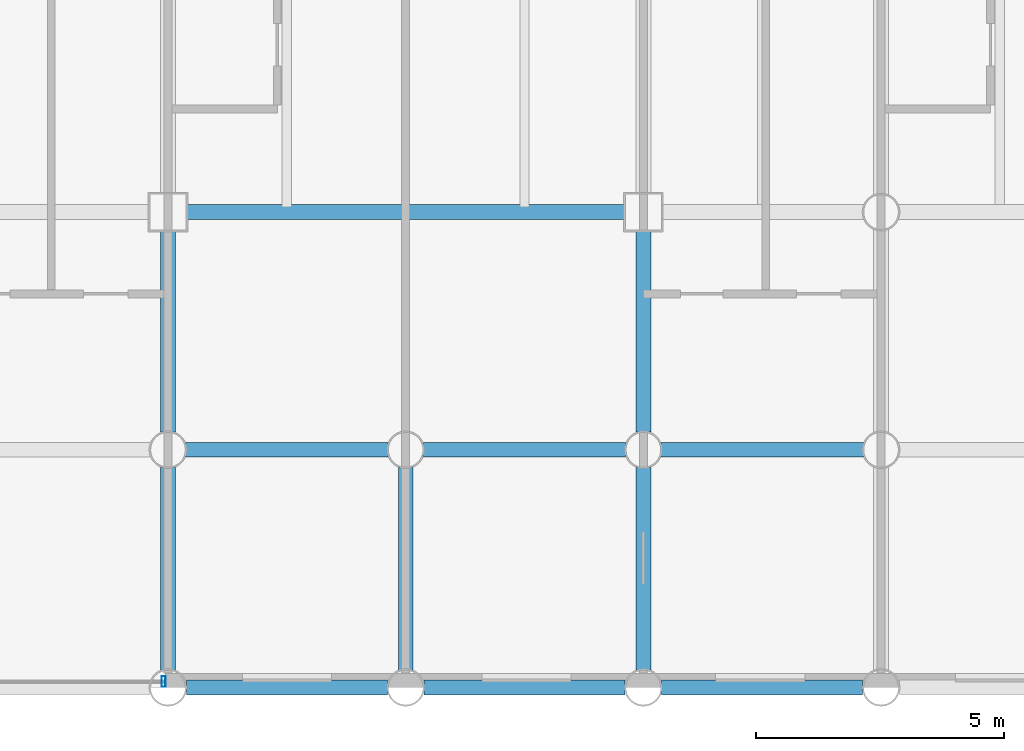
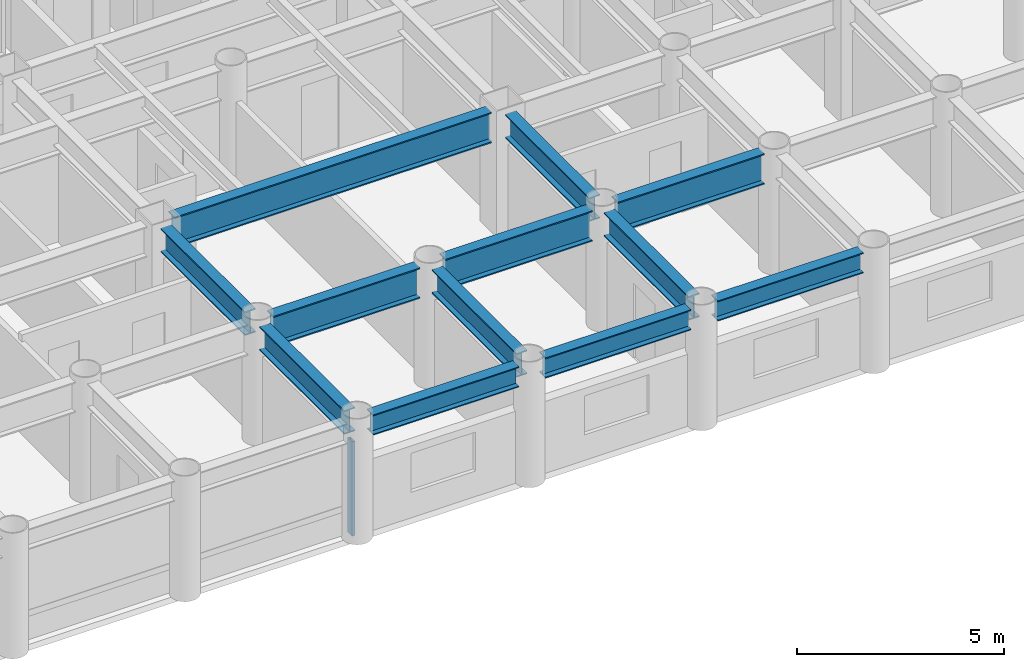
# One storey, part 6 of 20: 12 beams, 1 member, 1 element without a shape of its own.
"""IFC4 building model written with IfcOpenShell, lengths in metres."""

from ifc_helpers import new_model, si_unit, direction, frame, origin, origin_2d, place, context, subcontext, project, spatial, hollow_rectangle, i_section, extrude, material, layer, layer_set, material_profile, profile_set, type_object, element, aggregate, save


model = new_model("IFC4")

# Units and contexts
model_context = context("Model", 3, precision=1e-05, world=origin(), true_north=direction((0.0, 1.0)))
body_context = subcontext(model_context, "Body", "Model", "MODEL_VIEW")
ifc_project = project(units=[si_unit("LENGTHUNIT", "METRE"), si_unit("AREAUNIT", "SQUARE_METRE"), si_unit("VOLUMEUNIT", "CUBIC_METRE"), si_unit("PLANEANGLEUNIT", "RADIAN"), si_unit("MASSUNIT", "GRAM", prefix="KILO")], contexts=[model_context])

# Site, building, storey
site_placement = place(None, origin())
site = spatial("IfcSite", under=ifc_project, at=site_placement, CompositionType="ELEMENT")
building_placement = place(site_placement, origin())
building = spatial("IfcBuilding", under=site, at=building_placement, Name="Kallvorn Hotel Tower", CompositionType="ELEMENT")
storey_placement = place(building_placement, frame((0.0, 0.0, 78.10009765625)))
storey = spatial("IfcBuildingStorey", under=building, at=storey_placement, Name="L18", CompositionType="ELEMENT", Elevation=78.10009765625)

# Beams
ifc_material_1 = material(Name="Structural steel S355JR", Category="steel")
ifc_material_profile_1 = material_profile(ifc_material_1, i_section(OverallWidth=0.300048828125, OverallDepth=0.60009765625, WebThickness=0.015380859375, FlangeThickness=0.030029296875, at=origin_2d()), Name="HE 600 B")
ifc_profile_set_1 = profile_set([ifc_material_profile_1], Name="Structural steel S355JR")
beam_type_1 = type_object("IfcBeamType", Name="BM_HE600B", PredefinedType="SPANDREL", material=ifc_profile_set_1)
for number, where, z_axis, x_axis, name in (
    (1, (5.1708984375, -24.0, 3.219970703125), (1.0, 0.0, 0.0), (0.0, 1.0, 0.0), "L19 Perimeter Spandrel 157"),
    (2, (9.970947265625, -24.0, 3.219970703125), (1.0, 0.0, 0.0), (0.0, 1.0, 0.0), "L19 Perimeter Spandrel 158"),
    (3, (14.77099609375, -24.0, 3.219970703125), (1.0, 0.0, 0.0), (0.0, 1.0, 0.0), "L19 Perimeter Spandrel 159"),
):
    element("IfcBeam", number, at=place(storey_placement, frame(where, z_axis=z_axis, x_axis=x_axis)), inside=storey, type_object=beam_type_1, Name=name, PredefinedType="SPANDREL", context=body_context, shape_type="SweptSolid", body=[
        extrude(i_section(OverallWidth=0.300048828125, OverallDepth=0.60009765625, WebThickness=0.015380859375, FlangeThickness=0.030029296875, at=origin_2d()), origin(), (0.0, 0.0, 1.0), 4.05810546875),
    ])
ifc_material_2 = material(Name="Structural steel S355JR", Category="steel")
ifc_material_profile_2 = material_profile(ifc_material_2, i_section(OverallWidth=0.300048828125, OverallDepth=0.699951171875, WebThickness=0.01708984375, FlangeThickness=0.031982421875, at=origin_2d()), Name="HE 700 B")
ifc_profile_set_2 = profile_set([ifc_material_profile_2], Name="Structural steel S355JR")
beam_type_2 = type_object("IfcBeamType", Name="BM_HE700B", PredefinedType="BEAM", material=ifc_profile_set_2)
beam_1_placement = place(storey_placement, frame((4.800048828125, -23.64404296875, 3.169921875), z_axis=(0.0, 1.0, 0.0), x_axis=(-1.0, 0.0, 0.0)))
element("IfcBeam", 4, at=beam_1_placement, inside=storey, type_object=beam_type_2, Name="L19 Primary Y-Girder 113", PredefinedType="BEAM", context=body_context, shape_type="SweptSolid", body=[
    extrude(i_section(OverallWidth=0.300048828125, OverallDepth=0.699951171875, WebThickness=0.01708984375, FlangeThickness=0.031982421875, at=origin_2d()), origin(), (0.0, 0.0, 1.0), 4.088134765625),
])
beam_2_placement = place(storey_placement, frame((4.800048828125, -18.843994140625, 3.169921875), z_axis=(0.0, 1.0, 0.0), x_axis=(-1.0, 0.0, 0.0)))
element("IfcBeam", 5, at=beam_2_placement, inside=storey, type_object=beam_type_2, Name="L19 Primary Y-Girder 114", PredefinedType="BEAM", context=body_context, shape_type="SweptSolid", body=[
    extrude(i_section(OverallWidth=0.300048828125, OverallDepth=0.699951171875, WebThickness=0.01708984375, FlangeThickness=0.031982421875, at=origin_2d()), origin(), (0.0, 0.0, 1.0), 4.069091796875),
])
for number, where, z_axis, x_axis, name in (
    (6, (9.60009765625, -23.64404296875, 3.169921875), (0.0, 1.0, 0.0), (-1.0, 0.0, 0.0), "L19 Primary Y-Girder 118"),
    (7, (14.39990234375, -23.64404296875, 3.169921875), (0.0, 1.0, 0.0), (-1.0, 0.0, 0.0), "L19 Primary Y-Girder 121"),
):
    element("IfcBeam", number, at=place(storey_placement, frame(where, z_axis=z_axis, x_axis=x_axis)), inside=storey, type_object=beam_type_2, Name=name, PredefinedType="BEAM", context=body_context, shape_type="SweptSolid", body=[
        extrude(i_section(OverallWidth=0.300048828125, OverallDepth=0.699951171875, WebThickness=0.01708984375, FlangeThickness=0.031982421875, at=origin_2d()), origin(), (0.0, 0.0, 1.0), 4.088134765625),
    ])
beam_3_placement = place(storey_placement, frame((14.39990234375, -18.843994140625, 3.169921875), z_axis=(0.0, 1.0, 0.0), x_axis=(-1.0, 0.0, 0.0)))
element("IfcBeam", 8, at=beam_3_placement, inside=storey, type_object=beam_type_2, Name="L19 Primary Y-Girder 122", PredefinedType="BEAM", context=body_context, shape_type="SweptSolid", body=[
    extrude(i_section(OverallWidth=0.300048828125, OverallDepth=0.699951171875, WebThickness=0.01708984375, FlangeThickness=0.031982421875, at=origin_2d()), origin(), (0.0, 0.0, 1.0), 4.069091796875),
])
ifc_material_3 = material(Name="Structural steel S355JR", Category="steel")
ifc_material_profile_3 = material_profile(ifc_material_3, i_section(OverallWidth=0.300048828125, OverallDepth=0.89990234375, WebThickness=0.0185546875, FlangeThickness=0.034912109375, at=origin_2d()), Name="HE 900 B")
ifc_profile_set_3 = profile_set([ifc_material_profile_3], Name="Structural steel S355JR")
beam_type_3 = type_object("IfcBeamType", Name="BM_HE900B", PredefinedType="BEAM", material=ifc_profile_set_3)
for number, where, z_axis, x_axis, name in (
    (9, (5.156005859375, -19.199951171875, 3.06982421875), (1.0, 0.0, 0.0), (0.0, 1.0, 0.0), "L19 Primary X-Girder 08"),
    (10, (9.9560546875, -19.199951171875, 3.06982421875), (1.0, 0.0, 0.0), (0.0, 1.0, 0.0), "L19 Primary X-Girder 09"),
    (11, (14.756103515625, -19.199951171875, 3.06982421875), (1.0, 0.0, 0.0), (0.0, 1.0, 0.0), "L19 Primary X-Girder 10"),
):
    element("IfcBeam", number, at=place(storey_placement, frame(where, z_axis=z_axis, x_axis=x_axis)), inside=storey, type_object=beam_type_3, Name=name, PredefinedType="BEAM", context=body_context, shape_type="SweptSolid", body=[
        extrude(i_section(OverallWidth=0.300048828125, OverallDepth=0.89990234375, WebThickness=0.0185546875, FlangeThickness=0.034912109375, at=origin_2d()), origin(), (0.0, 0.0, 1.0), 4.087890625),
    ])
beam_4_placement = place(storey_placement, frame((5.175048828125, -14.39990234375, 3.06982421875), z_axis=(1.0, 0.0, 0.0), x_axis=(0.0, 1.0, 0.0)))
element("IfcBeam", 12, at=beam_4_placement, inside=storey, type_object=beam_type_3, Name="L19 Primary X-Girder 19", PredefinedType="BEAM", context=body_context, shape_type="SweptSolid", body=[
    extrude(i_section(OverallWidth=0.300048828125, OverallDepth=0.89990234375, WebThickness=0.0185546875, FlangeThickness=0.034912109375, at=origin_2d()), origin(), (0.0, 0.0, 1.0), 8.849853515625),
])

# Curtain wall, member
ifc_material_4 = material(Name="Thermally broken black-anodised aluminium AA 6063-T6", Category="aluminium")
ifc_layer = layer(ifc_material_4, 0.199951171875)
ifc_layer_set = layer_set([ifc_layer], Name="CW_SYS_3_HOTEL_LOW")
curtain_wall_type = type_object("IfcCurtainWallType", Name="CW_SYS_3_HOTEL_LOW", PredefinedType="USERDEFINED", material=ifc_layer_set)
curtain_wall_placement = place(storey_placement, origin())
curtain_wall = element("IfcCurtainWall", 13, at=curtain_wall_placement, inside=storey, type_object=curtain_wall_type, Name="L18 Dark-Glass Curtain Wall CW-L18-SC", ObjectType="UNITISED CURTAIN WALL", PredefinedType="USERDEFINED")
ifc_material_5 = material(Name="Thermally broken black-anodised aluminium AA 6063-T6", Category="aluminium")
ifc_material_profile_4 = material_profile(ifc_material_5, hollow_rectangle(XDim=0.080078125, YDim=0.219970703125, WallThickness=0.0048828125, at=origin_2d()), Name="MUL 220x80")
ifc_profile_set_4 = profile_set([ifc_material_profile_4], Name="Thermally broken black-anodised aluminium AA 6063-T6")
member_type = type_object("IfcMemberType", Name="CW_MULLION_220x80", PredefinedType="MULLION", material=ifc_profile_set_4)
member_placement = place(storey_placement, frame((4.7099609375, -23.8798828125, 0.02001953125), z_axis=(0.0, 0.0, 1.0), x_axis=(1.0, 0.0, 0.0)))
member = element("IfcMember", 14, at=member_placement, type_object=member_type, Name="CW-L18-SC Mullion 02", PredefinedType="MULLION", context=body_context, shape_type="SweptSolid", body=[
    extrude(hollow_rectangle(XDim=0.080078125, YDim=0.219970703125, WallThickness=0.0048828125, at=origin_2d()), origin(), (0.0, 0.0, 1.0), 2.77978515625),
])
aggregate(curtain_wall, [member])

save(model, "model.ifc")
